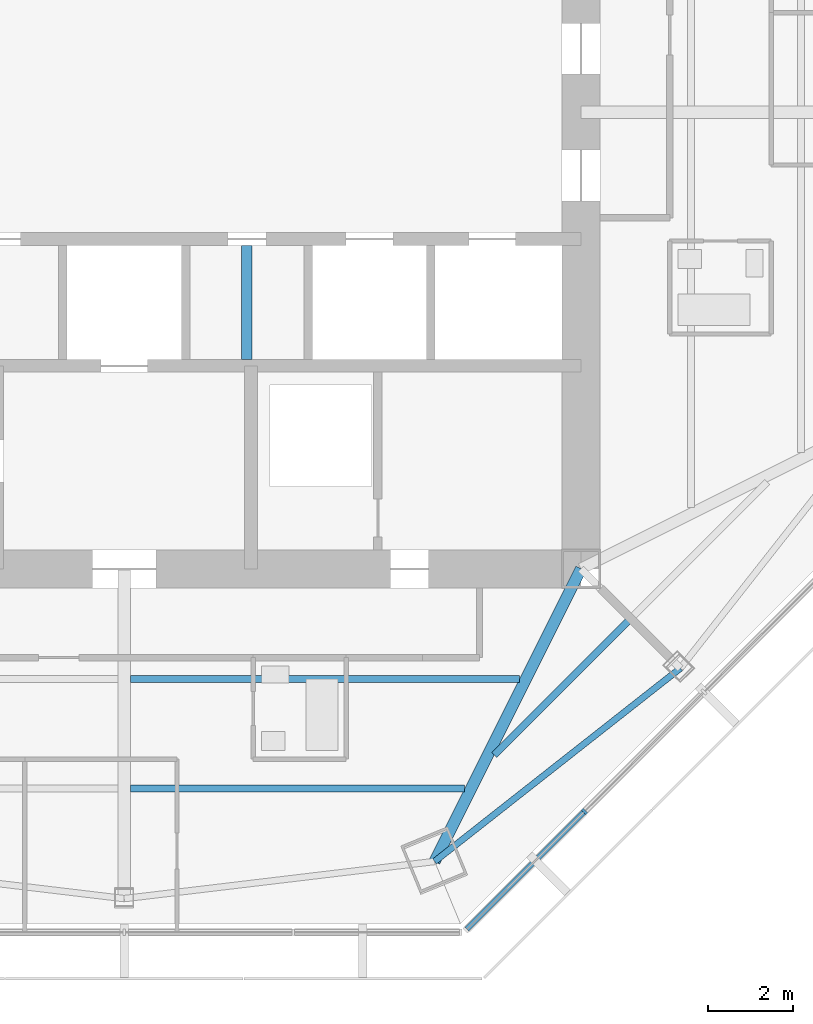
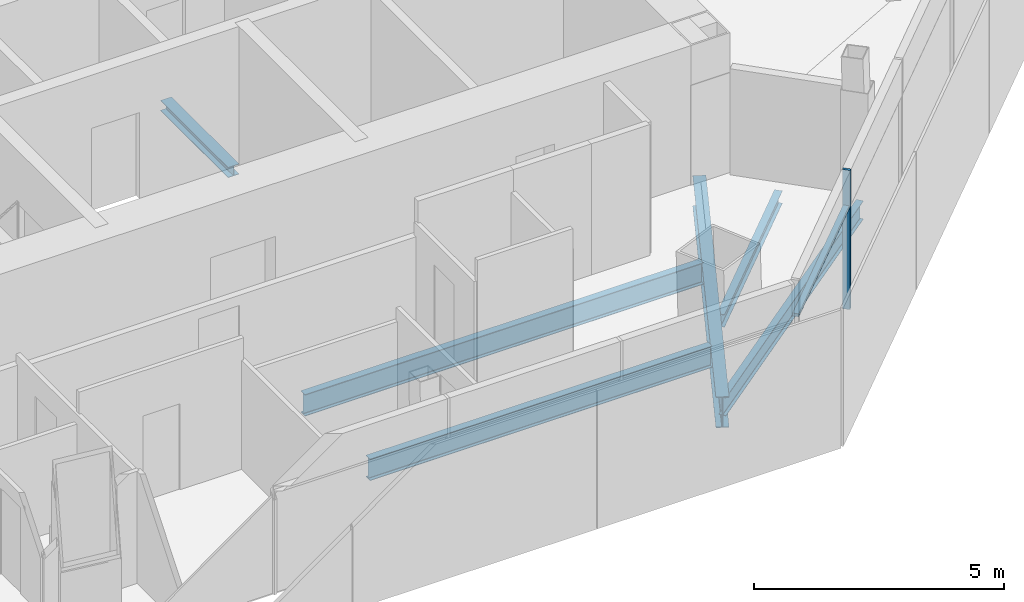
# One storey, part 3 of 15: 6 beams, 2 members, 1 element without a shape of its own.
"""IFC4 building model written with IfcOpenShell, lengths in metres."""

from ifc_helpers import new_model, si_unit, direction, frame, origin, origin_2d, place, context, subcontext, project, spatial, rectangle, i_section, extrude, source, transform, mapped, material, material_profile, profile_set, type_object, type_shapes, element, aggregate, save


model = new_model("IFC4")

# Units and contexts
model_context = context("Model", 3, precision=1e-05, world=origin(), true_north=direction((0.0, 1.0)))
body_context = subcontext(model_context, "Body", "Model", "MODEL_VIEW")
ifc_project = project(units=[si_unit("LENGTHUNIT", "METRE"), si_unit("AREAUNIT", "SQUARE_METRE"), si_unit("VOLUMEUNIT", "CUBIC_METRE"), si_unit("PLANEANGLEUNIT", "RADIAN"), si_unit("MASSUNIT", "GRAM", prefix="KILO")], contexts=[model_context])

# Site, building, storey
site_placement = place(None, origin())
site = spatial("IfcSite", under=ifc_project, at=site_placement, CompositionType="ELEMENT")
building_placement = place(site_placement, origin())
building = spatial("IfcBuilding", under=site, at=building_placement, Name="Mashrafa Tower", CompositionType="ELEMENT")
storey_placement = place(building_placement, frame((0.0, 0.0, 304.800048828125)))
storey = spatial("IfcBuildingStorey", under=building, at=storey_placement, Name="L75", CompositionType="ELEMENT", Elevation=304.800048828125)

# Beams
ifc_material_1 = material(Name="Steel ASTM A992", Category="steel")
ifc_material_profile_1 = material_profile(ifc_material_1, i_section(OverallWidth=0.164794921875, OverallDepth=0.309814453125, WebThickness=0.005859375, FlangeThickness=0.009765625, FilletRadius=0.007568359375, at=origin_2d()), Name="W12X26")
ifc_profile_set_1 = profile_set([ifc_material_profile_1], Name="Steel ASTM A992")
beam_type_1 = type_object("IfcBeamType", Name="Beam W12X26", PredefinedType="BEAM", material=ifc_profile_set_1)
beam_1_placement = place(storey_placement, frame((11.912353515625, -12.038330078125, -0.35498046875), z_axis=(-0.707079511879, -0.707134049443, 0.0), x_axis=(0.707134049443, -0.707079511879, 0.0)))
element("IfcBeam", 1, at=beam_1_placement, inside=storey, type_object=beam_type_1, Name="Floor beam L75 018", PredefinedType="BEAM", context=body_context, shape_type="SweptSolid", body=[
    extrude(i_section(OverallWidth=0.164794921875, OverallDepth=0.309814453125, WebThickness=0.005859375, FlangeThickness=0.009765625, FilletRadius=0.007568359375, at=origin_2d()), origin(), (0.0, 0.0, 1.0), 4.4765625),
])
ifc_material_2 = material(Name="Steel ASTM A992", Category="steel")
ifc_material_profile_2 = material_profile(ifc_material_2, i_section(OverallWidth=0.15234375, OverallDepth=0.449462890625, WebThickness=0.007568359375, FlangeThickness=0.0107421875, FilletRadius=0.01025390625, at=origin_2d()), Name="W18X35")
ifc_profile_set_2 = profile_set([ifc_material_profile_2], Name="Steel ASTM A992")
beam_type_2 = type_object("IfcBeamType", Name="Beam W18X35", PredefinedType="BEAM", material=ifc_profile_set_2)
beam_2_placement = place(storey_placement, frame((7.33984375, -17.7197265625, -0.4248046875), z_axis=(0.786118883034, 0.61807532044, 0.0), x_axis=(-0.61807532044, 0.786118883034, 0.0)))
element("IfcBeam", 2, at=beam_2_placement, inside=storey, type_object=beam_type_2, Name="Spandrel beam L75 050", PredefinedType="BEAM", context=body_context, shape_type="SweptSolid", body=[
    extrude(i_section(OverallWidth=0.15234375, OverallDepth=0.449462890625, WebThickness=0.007568359375, FlangeThickness=0.0107421875, FilletRadius=0.01025390625, at=origin_2d()), origin(), (0.0, 0.0, 1.0), 7.39208984375),
])
ifc_material_3 = material(Name="Steel ASTM A992", Category="steel")
ifc_material_profile_3 = material_profile(ifc_material_3, i_section(OverallWidth=0.165771484375, OverallDepth=0.5283203125, WebThickness=0.009765625, FlangeThickness=0.013671875, FilletRadius=0.012939453125, at=origin_2d()), Name="W21X50")
ifc_profile_set_3 = profile_set([ifc_material_profile_3], Name="Steel ASTM A992")
beam_type_3 = type_object("IfcBeamType", Name="Beam W21X50", PredefinedType="BEAM", material=ifc_profile_set_3)
beam_3_placement = place(storey_placement, frame((8.05126953125, -15.998779296875, -0.464111328125), z_axis=(-1.0, 0.0, 0.0), x_axis=(0.0, -1.0, 0.0)))
element("IfcBeam", 3, at=beam_3_placement, inside=storey, type_object=beam_type_3, Name="Floor beam L75 015", PredefinedType="BEAM", context=body_context, shape_type="SweptSolid", body=[
    extrude(i_section(OverallWidth=0.165771484375, OverallDepth=0.5283203125, WebThickness=0.009765625, FlangeThickness=0.013671875, FilletRadius=0.012939453125, at=origin_2d()), origin(), (0.0, 0.0, 1.0), 7.9052734375),
])
beam_4_placement = place(storey_placement, frame((9.35107421875, -13.3994140625, -0.464111328125), z_axis=(-1.0, 0.0, 0.0), x_axis=(0.0, -1.0, 0.0)))
element("IfcBeam", 4, at=beam_4_placement, inside=storey, type_object=beam_type_3, Name="Floor beam L75 017", PredefinedType="BEAM", context=body_context, shape_type="SweptSolid", body=[
    extrude(i_section(OverallWidth=0.165771484375, OverallDepth=0.5283203125, WebThickness=0.009765625, FlangeThickness=0.013671875, FilletRadius=0.012939453125, at=origin_2d()), origin(), (0.0, 0.0, 1.0), 9.205078125),
])
ifc_material_4 = material(Name="Steel ASTM A992", Category="steel")
ifc_material_profile_4 = material_profile(ifc_material_4, i_section(OverallWidth=0.2666015625, OverallDepth=0.75439453125, WebThickness=0.01318359375, FlangeThickness=0.01708984375, FilletRadius=0.0166015625, at=origin_2d()), Name="W30X99")
ifc_profile_set_4 = profile_set([ifc_material_profile_4], Name="Steel ASTM A992")
beam_type_4 = type_object("IfcBeamType", Name="Beam W30X99", PredefinedType="BEAM", material=ifc_profile_set_4)
beam_5_placement = place(storey_placement, frame((10.800048828125, -10.800048828125, -0.5771484375), z_axis=(-0.447251463, -0.894408256248, 0.0), x_axis=(0.894408256248, -0.447251463, 0.0)))
element("IfcBeam", 5, at=beam_5_placement, inside=storey, type_object=beam_type_4, Name="Radial girder L75 034", PredefinedType="BEAM", context=body_context, shape_type="SweptSolid", body=[
    extrude(i_section(OverallWidth=0.2666015625, OverallDepth=0.75439453125, WebThickness=0.01318359375, FlangeThickness=0.01708984375, FilletRadius=0.0166015625, at=origin_2d()), origin(), (0.0, 0.0, 1.0), 7.736572265625),
])
ifc_material_5 = material(Name="Steel ASTM A992", Category="steel")
ifc_material_profile_5 = material_profile(ifc_material_5, i_section(OverallWidth=0.25390625, OverallDepth=0.25390625, WebThickness=0.008544921875, FlangeThickness=0.01416015625, FilletRadius=0.010009765625, at=origin_2d()), Name="W10X49")
ifc_profile_set_5 = profile_set([ifc_material_profile_5], Name="Steel ASTM A992")
beam_type_5 = type_object("IfcBeamType", Name="Hoistway beam W10X49", PredefinedType="BEAM", material=ifc_profile_set_5)
beam_6_placement = place(storey_placement, frame((2.89990234375, -5.85009765625, -0.3271484375), z_axis=(0.0, 1.0, 0.0), x_axis=(-1.0, 0.0, 0.0)))
element("IfcBeam", 6, at=beam_6_placement, inside=storey, type_object=beam_type_5, Name="Hoistway beam L75 08", PredefinedType="BEAM", context=body_context, shape_type="SweptSolid", body=[
    extrude(i_section(OverallWidth=0.25390625, OverallDepth=0.25390625, WebThickness=0.008544921875, FlangeThickness=0.01416015625, FilletRadius=0.010009765625, at=origin_2d()), origin(), (0.0, 0.0, 1.0), 2.7001953125),
])

# Curtain wall, members
ifc_material_6 = material(Name="Unitised aluminium curtain wall", Category="aluminium")
curtain_wall_type = type_object("IfcCurtainWallType", Name="Apartment curtain wall, zone 4 CW-D 160 deep", PredefinedType="NOTDEFINED", material=ifc_material_6)
curtain_wall_placement = place(storey_placement, origin())
curtain_wall = element("IfcCurtainWall", 7, at=curtain_wall_placement, inside=storey, type_object=curtain_wall_type, Name="Apartment curtain wall, zone 4 L75 south-east", PredefinedType="NOTDEFINED")
ifc_material_7 = material(Name="Extruded aluminium mullion", Category="aluminium")
ifc_material_profile_6 = material_profile(ifc_material_7, rectangle(XDim=0.159912109375, YDim=0.06005859375, at=origin_2d()), Name="Mullion 60x160")
ifc_profile_set_6 = profile_set([ifc_material_profile_6], Name="Extruded aluminium mullion")
member_type_1 = type_object("IfcMemberType", Name="Mullion CW-D 60 x 160", PredefinedType="MULLION", material=ifc_profile_set_6)
shared_shape_1 = source(origin(), body_context, "Body", "SweptSolid", [
    extrude(rectangle(XDim=0.159912109375, YDim=0.06005859375, at=origin_2d()), origin(), (0.0, 0.0, 1.0), 3.39990234375),
])
type_shapes(member_type_1, [shared_shape_1])
member_1_placement = place(storey_placement, frame((10.8876953125, -16.537109375, 0.0), z_axis=(0.0, 0.0, 1.0), x_axis=(-0.707106781187, 0.707106781187, 0.0)))
member_1 = element("IfcMember", 8, at=member_1_placement, type_object=member_type_1, Name="CW-D mullion 2", PredefinedType="MULLION", context=body_context, shape_type="MappedRepresentation", body=[
    mapped(shared_shape_1, transform((0.0, 0.0, 0.0))),
])
ifc_material_8 = material(Name="Extruded aluminium transom", Category="aluminium")
ifc_material_profile_7 = material_profile(ifc_material_8, rectangle(XDim=0.1279296875, YDim=0.074951171875, at=origin_2d()), Name="Transom 75x128")
ifc_profile_set_7 = profile_set([ifc_material_profile_7], Name="Extruded aluminium transom")
member_type_2 = type_object("IfcMemberType", Name="Transom CW-D 75 x 128", PredefinedType="MULLION", material=ifc_profile_set_7)
shared_shape_2 = source(origin(), body_context, "Body", "SweptSolid", [
    extrude(rectangle(XDim=0.1279296875, YDim=0.074951171875, at=origin_2d()), origin(), (0.0, 0.0, 1.0), 3.904541015625),
])
type_shapes(member_type_2, [shared_shape_2])
member_2_placement = place(storey_placement, frame((8.10546875, -19.3193359375, 2.5), z_axis=(0.707106781187, 0.707106781187, 0.0), x_axis=(-0.707106781187, 0.707106781187, 0.0)))
member_2 = element("IfcMember", 9, at=member_2_placement, type_object=member_type_2, Name="CW-D transom 1", PredefinedType="MULLION", context=body_context, shape_type="MappedRepresentation", body=[
    mapped(shared_shape_2, transform((0.0, 0.0, 0.0))),
])
aggregate(curtain_wall, [member_1, member_2])

save(model, "model.ifc")
